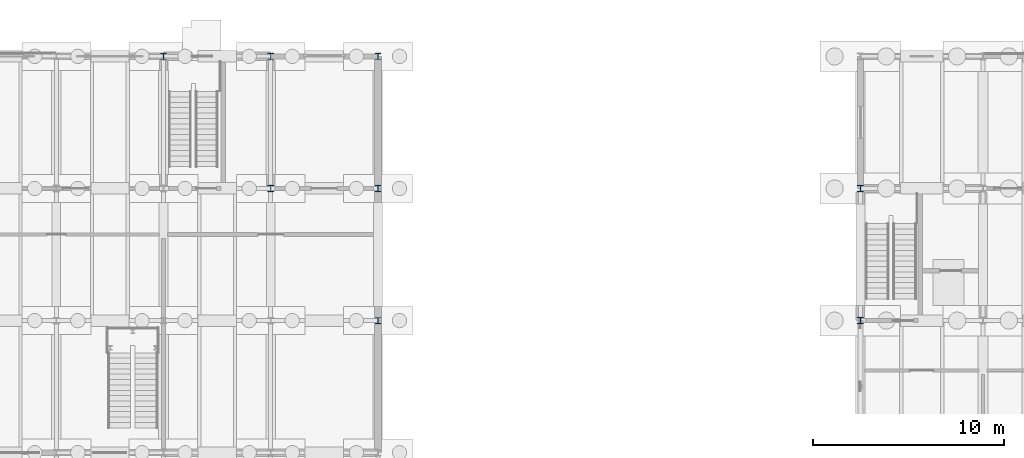
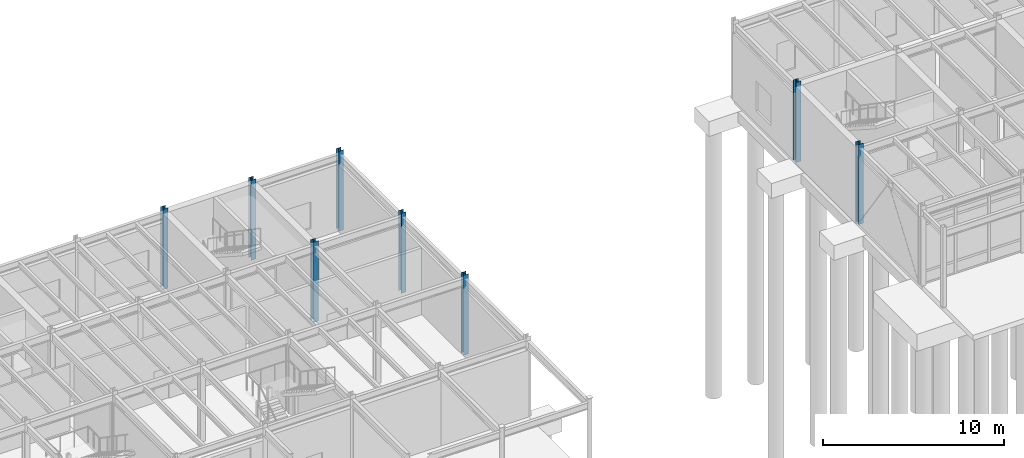
# One storey, part 21 of 82: 8 columns.
"""IFC4 building model written with IfcOpenShell, lengths in metres."""

import ifcopenshell
import ifcopenshell.guid

model = None  # the IFC model being written
_history = None  # IfcOwnerHistory: only IFC2X3 demands one
_inside = {}  # id of a spatial element -> (the spatial element, [elements in it])
_under = {}  # id of a project, library or spatial element -> (it, [spatial elements below it])
_declared = {}  # id of a project -> (the project, [libraries it declares])
_typed = {}  # id of a type object -> (the type object, [elements of that type])
_made_of = {}  # id of a material, layer set ... -> (it, [elements and type objects made of it])


def new_model(schema):
    """Start an empty IFC model of exactly this schema.

    Asked for "IFC4X3", IfcOpenShell would pick the latest addendum, in which some entities
    have other attributes; the version numbers below select the first issue.
    IFC2X3 requires an IfcOwnerHistory on every rooted entity: one is made here for all.
    """
    global model, _history
    if schema == "IFC4X3":
        model = ifcopenshell.file(schema_version=(4, 3, 0, 0))
    else:
        model = ifcopenshell.file(schema=schema)
    _inside.clear()
    _under.clear()
    _declared.clear()
    _typed.clear()
    _made_of.clear()
    _history = None
    if model.schema == "IFC2X3":
        org = make("IfcOrganization", Name="unknown")
        user = make(
            "IfcPersonAndOrganization",
            ThePerson=make("IfcPerson", FamilyName="unknown"),
            TheOrganization=org,
        )
        app = make(
            "IfcApplication",
            ApplicationDeveloper=org,
            Version="unknown",
            ApplicationFullName="unknown",
            ApplicationIdentifier="unknown",
        )
        _history = make(
            "IfcOwnerHistory",
            OwningUser=user,
            OwningApplication=app,
            ChangeAction="ADDED",
            CreationDate=0,
        )
    return model


def make(cls, **values):
    """One entity of the class cls with the attributes given. An attribute that is None is left unset."""
    return model.create_entity(
        cls, **{name: value for name, value in values.items() if value is not None}
    )


def rooted(cls, **values):
    """An entity with a GlobalId (a new one), such as an element, a storey or a relation."""
    return make(cls, GlobalId=ifcopenshell.guid.new(), OwnerHistory=_history, **values)


def si_unit(unit_type, name, prefix=None):
    """IfcSIUnit, for example si_unit("LENGTHUNIT", "METRE", prefix="MILLI")."""
    return make("IfcSIUnit", UnitType=unit_type, Prefix=prefix, Name=name)


def assignment(units):
    """IfcUnitAssignment: the units of a project."""
    return None if units is None else make("IfcUnitAssignment", Units=units)


def point(xyz):
    """IfcCartesianPoint."""
    return None if xyz is None else make("IfcCartesianPoint", Coordinates=xyz)


def direction(xyz):
    """IfcDirection."""
    return None if xyz is None else make("IfcDirection", DirectionRatios=xyz)


def frame(location, z_axis=None, x_axis=None):
    """IfcAxis2Placement3D, a coordinate frame: its origin and axes. An axis left out is left unset."""
    return make(
        "IfcAxis2Placement3D",
        Location=point(location),
        Axis=direction(z_axis),
        RefDirection=direction(x_axis),
    )


def frame_2d(location, x_axis=None):
    """IfcAxis2Placement2D, a coordinate frame in the plane: its origin and x axis."""
    return make(
        "IfcAxis2Placement2D", Location=point(location), RefDirection=direction(x_axis)
    )


def origin():
    """The frame at (0, 0, 0) with its axes left unset."""
    return frame((0.0, 0.0, 0.0))


def origin_2d():
    """The frame at (0, 0) in the plane with its x axis left unset."""
    return frame_2d((0.0, 0.0))


def place(relative_to, where):
    """IfcLocalPlacement: puts the frame where relative to a parent placement (None: the world)."""
    return make(
        "IfcLocalPlacement", PlacementRelTo=relative_to, RelativePlacement=where
    )


def context(
    kind, dimensions, precision=None, world=None, true_north=None, identifier=None
):
    """IfcGeometricRepresentationContext, for example the 3D "Model" context."""
    return make(
        "IfcGeometricRepresentationContext",
        ContextIdentifier=identifier,
        ContextType=kind,
        CoordinateSpaceDimension=dimensions,
        Precision=precision,
        WorldCoordinateSystem=world,
        TrueNorth=true_north,
    )


def subcontext(parent, identifier, kind, view, scale=None):
    """IfcGeometricRepresentationSubContext, for example "Body" below "Model"."""
    return make(
        "IfcGeometricRepresentationSubContext",
        ContextIdentifier=identifier,
        ContextType=kind,
        ParentContext=parent,
        TargetScale=scale,
        TargetView=view,
    )


def project(units=None, contexts=None):
    """IfcProject with its units and contexts."""
    return rooted(
        "IfcProject",
        Name="project",
        RepresentationContexts=contexts,
        UnitsInContext=assignment(units),
    )


def spatial(cls, under=None, at=None, **own):
    """A site, building, storey or space (cls), placed at a placement, below another one or the project."""
    s = rooted(cls, ObjectPlacement=at, **own)
    if under is not None:
        _under.setdefault(under.id(), (under, []))[1].append(s)
    return s


def profile(cls, at=None, kind="AREA", **sizes):
    """A parametric profile (cls). Its sizes go by their IFC names, for example OverallWidth=200.0."""
    return make(cls, ProfileType=kind, Position=at, **sizes)


def i_section(**sizes):
    """IfcIShapeProfileDef."""
    return profile("IfcIShapeProfileDef", **sizes)


def extrude(swept, where, along, depth):
    """IfcExtrudedAreaSolid: the profile swept, set in the frame where, extruded along a direction by depth."""
    return make(
        "IfcExtrudedAreaSolid",
        SweptArea=swept,
        Position=where,
        ExtrudedDirection=direction(along),
        Depth=depth,
    )


def shape(context_of_items, identifier, shape_type, items):
    """IfcShapeRepresentation: the items that make up one representation, for example the "Body"."""
    return make(
        "IfcShapeRepresentation",
        ContextOfItems=context_of_items,
        RepresentationIdentifier=identifier,
        RepresentationType=shape_type,
        Items=items,
    )


def material(Name=None, Category=None):
    """IfcMaterial."""
    return make("IfcMaterial", Name=Name, Category=Category)


def material_profile(
    of_material, cross_section, Name=None, Category=None, Priority=None
):
    """IfcMaterialProfile: a cross section and its material."""
    return make(
        "IfcMaterialProfile",
        Name=Name,
        Material=of_material,
        Profile=cross_section,
        Priority=Priority,
        Category=Category,
    )


def profile_set(profiles, Name=None, composite=None):
    """IfcMaterialProfileSet."""
    return make(
        "IfcMaterialProfileSet",
        Name=Name,
        MaterialProfiles=profiles,
        CompositeProfile=composite,
    )


def made_of(thing, what):
    """Note that an element or type object is made of a material, layer set ...; save() writes the relation."""
    if what is not None:
        _made_of.setdefault(what.id(), (what, []))[1].append(thing)
    return thing


def type_object(cls, material=None, **own):
    """A type object (cls), such as IfcWallType, which elements share."""
    return made_of(rooted(cls, **own), material)


def element(
    cls,
    number,
    at=None,
    inside=None,
    cuts=None,
    type_object=None,
    material=None,
    context=None,
    identifier="Body",
    shape_type=None,
    held_by="IfcProductDefinitionShape",
    body=None,
    shapes=None,
    **own,
):
    """One element of the class cls, such as IfcWall. Its Tag is "e" and its number.

    at: its placement. inside: the storey or other place that contains it. cuts: it is an
    opening in that element (IfcRelVoidsElement). A single representation is given by context,
    identifier, shape_type and body (its items); several are given by shapes. held_by: the class
    of the entity that holds the representations. save() writes the other relations.
    """
    e = rooted(cls, Tag="e%d" % number, ObjectPlacement=at, **own)
    if body is not None:
        shapes = [shape(context, identifier, shape_type, body)]
    if shapes is not None:
        e.Representation = make(held_by, Representations=shapes)
    if inside is not None:
        _inside.setdefault(inside.id(), (inside, []))[1].append(e)
    if cuts is not None:
        rooted(
            "IfcRelVoidsElement", RelatingBuildingElement=cuts, RelatedOpeningElement=e
        )
    if type_object is not None:
        _typed.setdefault(type_object.id(), (type_object, []))[1].append(e)
    return made_of(e, material)


def aggregate(whole, parts):
    """IfcRelAggregates: a whole, such as a stair, and the parts it consists of."""
    return rooted("IfcRelAggregates", RelatingObject=whole, RelatedObjects=parts)


def save(model, path):
    """Write the relations noted so far, then the file.

    IfcRelAggregates (storeys below a building ...), IfcRelContainedInSpatialStructure (elements
    in a storey), IfcRelDefinesByType, IfcRelAssociatesMaterial and IfcRelDeclares: one each for
    every whole, place, type object, material and project.
    """
    for whole, parts in _under.values():
        aggregate(whole, parts)
    for where, things in _inside.values():
        rooted(
            "IfcRelContainedInSpatialStructure",
            RelatedElements=things,
            RelatingStructure=where,
        )
    for kind, things in _typed.values():
        rooted("IfcRelDefinesByType", RelatedObjects=things, RelatingType=kind)
    for what, things in _made_of.values():
        rooted("IfcRelAssociatesMaterial", RelatedObjects=things, RelatingMaterial=what)
    for by, libraries in _declared.values():
        rooted("IfcRelDeclares", RelatingContext=by, RelatedDefinitions=libraries)
    model.write(path)


model = new_model("IFC4")

# Units and contexts
model_context = context("Model", 3, precision=1e-05, world=origin(), true_north=direction((0.0, 1.0)))
body_context = subcontext(model_context, "Body", "Model", "MODEL_VIEW")
ifc_project = project(units=[si_unit("LENGTHUNIT", "METRE"), si_unit("AREAUNIT", "SQUARE_METRE"), si_unit("VOLUMEUNIT", "CUBIC_METRE"), si_unit("PLANEANGLEUNIT", "RADIAN"), si_unit("MASSUNIT", "GRAM", prefix="KILO")], contexts=[model_context])

# Site, building, storey
site_placement = place(None, origin())
site = spatial("IfcSite", under=ifc_project, at=site_placement, CompositionType="ELEMENT")
building_placement = place(site_placement, origin())
building = spatial("IfcBuilding", under=site, at=building_placement, Name="Trelmorton Wharf Fire Station", CompositionType="ELEMENT")
storey_placement = place(building_placement, origin())
storey = spatial("IfcBuildingStorey", under=building, at=storey_placement, Name="L00", CompositionType="ELEMENT", Elevation=0.0)

# Columns
ifc_material = material(Name="Steel Grade 350", Category="steel")
ifc_material_profile_1 = material_profile(ifc_material, i_section(OverallWidth=0.306884765625, OverallDepth=0.31494140625, WebThickness=0.011962890625, FlangeThickness=0.018798828125, FilletRadius=0.0166015625, at=origin_2d()), Name="310UC118")
ifc_profile_set_1 = profile_set([ifc_material_profile_1], Name="Steel Grade 350")
column_type_1 = type_object("IfcColumnType", Name="COL_310UC118", PredefinedType="COLUMN", material=ifc_profile_set_1)
for number, where, z_axis, x_axis, name in (
    (1, (34.39990234375, 81.0, 0.0), (0.0, 0.0, 1.0), (1.0, 0.0, 0.0), "COL-L00-0067"),
    (2, (40.0, 74.10009765625, 0.0), (0.0, 0.0, 1.0), (1.0, 0.0, 0.0), "COL-L00-0075"),
    (3, (40.0, 81.0, 0.0), (0.0, 0.0, 1.0), (1.0, 0.0, 0.0), "COL-L00-0076"),
    (4, (45.60009765625, 67.199951171875, 0.0), (0.0, 0.0, 1.0), (1.0, 0.0, 0.0), "COL-L00-0083"),
    (5, (45.60009765625, 74.10009765625, 0.0), (0.0, 0.0, 1.0), (1.0, 0.0, 0.0), "COL-L00-0084"),
    (6, (45.60009765625, 81.0, 0.0), (0.0, 0.0, 1.0), (1.0, 0.0, 0.0), "COL-L00-0085"),
):
    element("IfcColumn", number, at=place(storey_placement, frame(where, z_axis=z_axis, x_axis=x_axis)), inside=storey, type_object=column_type_1, Name=name, PredefinedType="COLUMN", context=body_context, shape_type="SweptSolid", body=[
        extrude(i_section(OverallWidth=0.306884765625, OverallDepth=0.31494140625, WebThickness=0.011962890625, FlangeThickness=0.018798828125, FilletRadius=0.0166015625, at=origin_2d()), origin(), (0.0, 0.0, 1.0), 5.39990234375),
    ])
ifc_material_profile_2 = material_profile(ifc_material, i_section(OverallWidth=0.31103515625, OverallDepth=0.326904296875, WebThickness=0.015625, FlangeThickness=0.02490234375, FilletRadius=0.0166015625, at=origin_2d()), Name="310UC158")
ifc_profile_set_2 = profile_set([ifc_material_profile_2], Name="Steel Grade 350")
column_type_2 = type_object("IfcColumnType", Name="COL_310UC158", PredefinedType="COLUMN", material=ifc_profile_set_2)
for number, where, z_axis, x_axis, name in (
    (7, (70.800048828125, 67.199951171875, 0.0), (0.0, 0.0, 1.0), (1.0, 0.0, 0.0), "COL-L00-0113"),
    (8, (70.800048828125, 74.10009765625, 0.0), (0.0, 0.0, 1.0), (1.0, 0.0, 0.0), "COL-L00-0114"),
):
    element("IfcColumn", number, at=place(storey_placement, frame(where, z_axis=z_axis, x_axis=x_axis)), inside=storey, type_object=column_type_2, Name=name, PredefinedType="COLUMN", context=body_context, shape_type="SweptSolid", body=[
        extrude(i_section(OverallWidth=0.31103515625, OverallDepth=0.326904296875, WebThickness=0.015625, FlangeThickness=0.02490234375, FilletRadius=0.0166015625, at=origin_2d()), origin(), (0.0, 0.0, 1.0), 5.39990234375),
    ])

save(model, "model.ifc")
